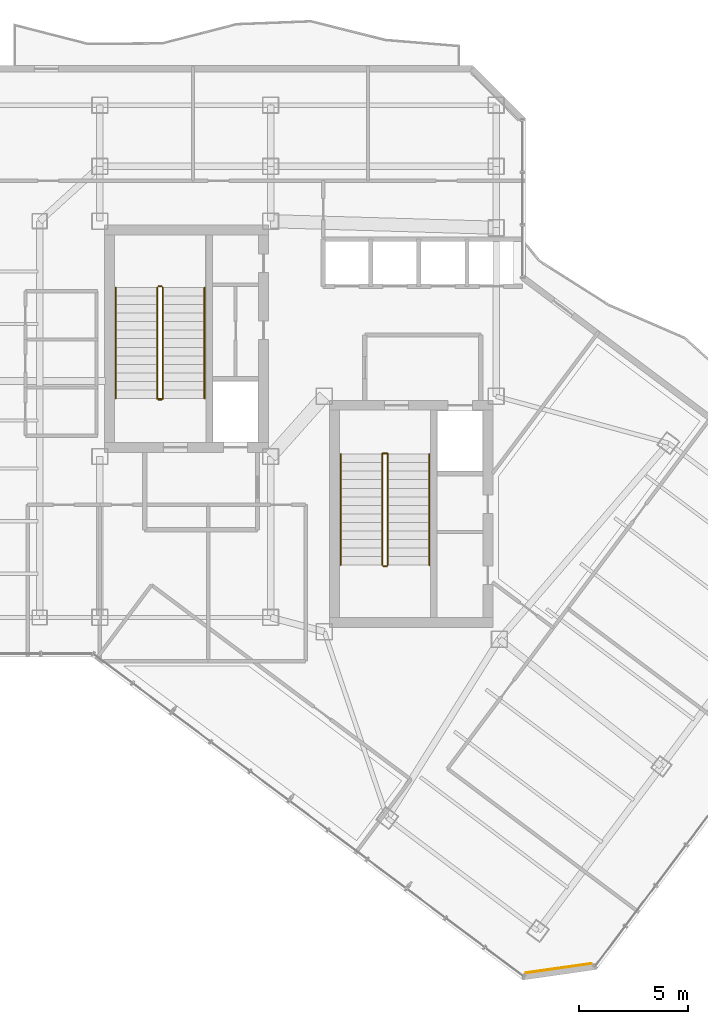
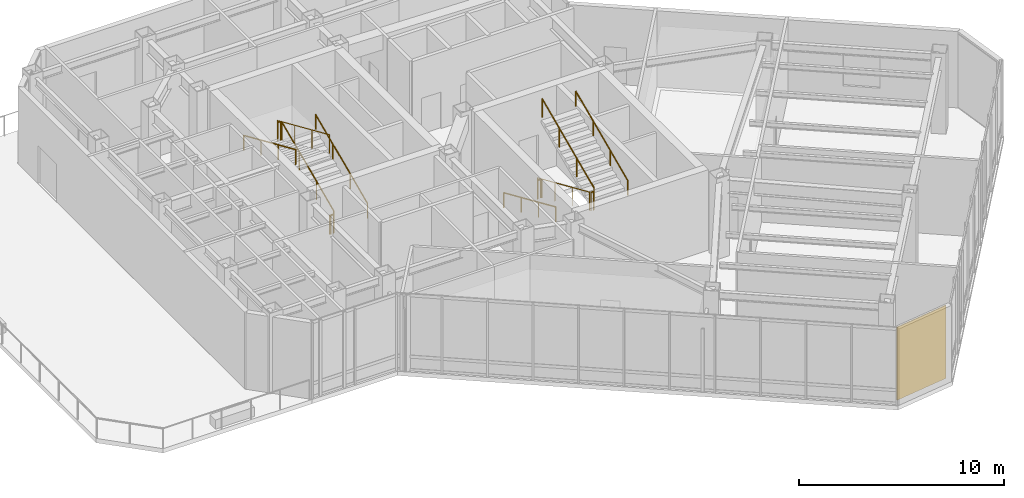
# One storey, part 20 of 21: 14 railings, 1 covering.
"""IFC4 building model written with IfcOpenShell, lengths in metres."""

from ifc_helpers import new_model, si_unit, direction, frame, origin, origin_2d, place, context, subcontext, project, spatial, rectangle, circle, extrude, material, layer, layer_set, type_object, element, save


model = new_model("IFC4")

# Units and contexts
model_context = context("Model", 3, precision=1e-05, world=origin(), true_north=direction((0.0, 1.0)))
body_context = subcontext(model_context, "Body", "Model", "MODEL_VIEW")
ifc_project = project(units=[si_unit("LENGTHUNIT", "METRE"), si_unit("AREAUNIT", "SQUARE_METRE"), si_unit("VOLUMEUNIT", "CUBIC_METRE"), si_unit("PLANEANGLEUNIT", "RADIAN"), si_unit("MASSUNIT", "GRAM", prefix="KILO")], contexts=[model_context])

# Site, building, storey
site_placement = place(None, origin())
site = spatial("IfcSite", under=ifc_project, at=site_placement, CompositionType="ELEMENT")
building_placement = place(site_placement, origin())
building = spatial("IfcBuilding", under=site, at=building_placement, Name="Hatsunagi Terrace Concourse", CompositionType="ELEMENT")
storey_placement = place(building_placement, frame((0.0, 0.0, 186.75)))
storey = spatial("IfcBuildingStorey", under=building, at=storey_placement, Name="L49", CompositionType="ELEMENT", Elevation=186.75)

# Railings
ifc_material_1 = material(Name="Stainless steel", Category="steel")
ifc_layer_1 = layer(ifc_material_1, 0.044921875)
ifc_layer_set_1 = layer_set([ifc_layer_1], Name="StairPitchHandrail_Tower2000")
railing_type_1 = type_object("IfcRailingType", Name="StairPitchHandrail_Tower2000", PredefinedType="HANDRAIL", material=ifc_layer_set_1)
railing_1_placement = place(storey_placement, frame((30.330078125, 35.199951171875, 0.17138671875)))
element("IfcRailing", 1, at=railing_1_placement, inside=storey, type_object=railing_type_1, Name="L49 ST-A stair handrail 1", PredefinedType="HANDRAIL", context=body_context, shape_type="SweptSolid", body=[
    extrude(circle(Radius=0.02392578125, at=origin_2d()), frame((0.0, 0.0, 0.8759765625), z_axis=(0.0, 0.915469019145, 0.40238846279), x_axis=(-1.0, 0.0, 0.0)), (0.0, 0.0, 1.0), 5.538330078125),
    extrude(circle(Radius=0.02099609375, at=origin_2d()), origin(), (0.0, 0.0, 1.0), 0.851806640625),
    extrude(circle(Radius=0.02099609375, at=origin_2d()), frame((0.0, 1.68994140625, 0.742919921875)), (0.0, 0.0, 1.0), 0.851806640625),
    extrude(circle(Radius=0.02099609375, at=origin_2d()), frame((0.0, 3.380126953125, 1.485595703125)), (0.0, 0.0, 1.0), 0.851806640625),
    extrude(circle(Radius=0.02099609375, at=origin_2d()), frame((0.0, 5.070068359375, 2.228515625)), (0.0, 0.0, 1.0), 0.851806640625),
])
railing_2_placement = place(storey_placement, frame((26.280029296875, 40.27001953125, 2.571533203125)))
element("IfcRailing", 2, at=railing_2_placement, inside=storey, type_object=railing_type_1, Name="L49 ST-A stair handrail 2", PredefinedType="HANDRAIL", context=body_context, shape_type="SweptSolid", body=[
    extrude(circle(Radius=0.02392578125, at=origin_2d()), frame((0.0, 0.0, 0.8759765625), z_axis=(0.0, -0.915469019145, 0.40238846279), x_axis=(1.0, 0.0, 0.0)), (0.0, 0.0, 1.0), 5.538330078125),
    extrude(circle(Radius=0.02099609375, at=origin_2d()), origin(), (0.0, 0.0, 1.0), 0.851806640625),
    extrude(circle(Radius=0.02099609375, at=origin_2d()), frame((0.0, -1.68994140625, 0.742919921875)), (0.0, 0.0, 1.0), 0.851806640625),
    extrude(circle(Radius=0.02099609375, at=origin_2d()), frame((0.0, -3.380126953125, 1.485595703125)), (0.0, 0.0, 1.0), 0.851806640625),
    extrude(circle(Radius=0.02099609375, at=origin_2d()), frame((0.0, -5.070068359375, 2.228515625)), (0.0, 0.0, 1.0), 0.851806640625),
])
railing_3_placement = place(storey_placement, frame((36.550048828125, 32.659912109375, 0.17138671875)))
element("IfcRailing", 3, at=railing_3_placement, inside=storey, type_object=railing_type_1, Name="L49 ST-B stair handrail 1", PredefinedType="HANDRAIL", context=body_context, shape_type="SweptSolid", body=[
    extrude(circle(Radius=0.02392578125, at=origin_2d()), frame((0.0, 0.0, 0.8759765625), z_axis=(0.0, -0.915461880969, 0.402404702373), x_axis=(1.0, 0.0, 0.0)), (0.0, 0.0, 1.0), 5.5380859375),
    extrude(circle(Radius=0.02099609375, at=origin_2d()), origin(), (0.0, 0.0, 1.0), 0.851806640625),
    extrude(circle(Radius=0.02099609375, at=origin_2d()), frame((0.0, -1.68994140625, 0.742919921875)), (0.0, 0.0, 1.0), 0.851806640625),
    extrude(circle(Radius=0.02099609375, at=origin_2d()), frame((0.0, -3.3798828125, 1.485595703125)), (0.0, 0.0, 1.0), 0.851806640625),
    extrude(circle(Radius=0.02099609375, at=origin_2d()), frame((0.0, -5.06982421875, 2.228515625)), (0.0, 0.0, 1.0), 0.851806640625),
])
railing_4_placement = place(storey_placement, frame((40.60009765625, 27.590087890625, 2.571533203125)))
element("IfcRailing", 4, at=railing_4_placement, inside=storey, type_object=railing_type_1, Name="L49 ST-B stair handrail 2", PredefinedType="HANDRAIL", context=body_context, shape_type="SweptSolid", body=[
    extrude(circle(Radius=0.02392578125, at=origin_2d()), frame((0.0, 0.0, 0.8759765625), z_axis=(0.0, 0.915461880969, 0.402404702373), x_axis=(-1.0, 0.0, 0.0)), (0.0, 0.0, 1.0), 5.5380859375),
    extrude(circle(Radius=0.02099609375, at=origin_2d()), origin(), (0.0, 0.0, 1.0), 0.851806640625),
    extrude(circle(Radius=0.02099609375, at=origin_2d()), frame((0.0, 1.68994140625, 0.742919921875)), (0.0, 0.0, 1.0), 0.851806640625),
    extrude(circle(Radius=0.02099609375, at=origin_2d()), frame((0.0, 3.3798828125, 1.485595703125)), (0.0, 0.0, 1.0), 0.851806640625),
    extrude(circle(Radius=0.02099609375, at=origin_2d()), frame((0.0, 5.06982421875, 2.228515625)), (0.0, 0.0, 1.0), 0.851806640625),
])
ifc_material_2 = material(Name="Stainless steel", Category="steel")
ifc_layer_2 = layer(ifc_material_2, 0.06005859375)
ifc_layer_set_2 = layer_set([ifc_layer_2], Name="StairWellGuard_Tower2000")
railing_type_2 = type_object("IfcRailingType", Name="StairWellGuard_Tower2000", PredefinedType="BALUSTRADE", material=ifc_layer_set_2)
railing_5_placement = place(storey_placement, frame((28.429931640625, 35.199951171875, 0.17138671875)))
element("IfcRailing", 5, at=railing_5_placement, inside=storey, type_object=railing_type_2, Name="L49 ST-A stair guard 1", PredefinedType="BALUSTRADE", context=body_context, shape_type="SweptSolid", body=[
    extrude(circle(Radius=0.02392578125, at=origin_2d()), frame((0.0, 0.0, 1.09619140625), z_axis=(0.0, 0.915469019145, 0.40238846279), x_axis=(-1.0, 0.0, 0.0)), (0.0, 0.0, 1.0), 5.538330078125),
    extrude(circle(Radius=0.02099609375, at=origin_2d()), origin(), (0.0, 0.0, 1.0), 1.072021484375),
    extrude(circle(Radius=0.02099609375, at=origin_2d()), frame((0.0, 1.68994140625, 0.742919921875)), (0.0, 0.0, 1.0), 1.072021484375),
    extrude(circle(Radius=0.02099609375, at=origin_2d()), frame((0.0, 3.380126953125, 1.485595703125)), (0.0, 0.0, 1.0), 1.072021484375),
    extrude(circle(Radius=0.02099609375, at=origin_2d()), frame((0.0, 5.070068359375, 2.228515625)), (0.0, 0.0, 1.0), 1.072021484375),
])
railing_6_placement = place(storey_placement, frame((28.3798828125, 40.320068359375, 2.39990234375)))
element("IfcRailing", 6, at=railing_6_placement, inside=storey, type_object=railing_type_2, Name="L49 ST-A stair guard 2", PredefinedType="BALUSTRADE", context=body_context, shape_type="SweptSolid", body=[
    extrude(circle(Radius=0.02392578125, at=origin_2d()), frame((0.0, 0.0, 1.09619140625), z_axis=(-1.0, 0.0, 0.0), x_axis=(0.0, -1.0, 0.0)), (0.0, 0.0, 1.0), 0.14990234375),
    extrude(circle(Radius=0.02099609375, at=origin_2d()), origin(), (0.0, 0.0, 1.0), 1.072021484375),
    extrude(circle(Radius=0.02099609375, at=origin_2d()), frame((-0.14990234375, 0.0, 0.0)), (0.0, 0.0, 1.0), 1.072021484375),
])
railing_7_placement = place(storey_placement, frame((28.179931640625, 40.27001953125, 2.571533203125)))
element("IfcRailing", 7, at=railing_7_placement, inside=storey, type_object=railing_type_2, Name="L49 ST-A stair guard 3", PredefinedType="BALUSTRADE", context=body_context, shape_type="SweptSolid", body=[
    extrude(circle(Radius=0.02392578125, at=origin_2d()), frame((0.0, 0.0, 1.09619140625), z_axis=(0.0, -0.915469019145, 0.40238846279), x_axis=(1.0, 0.0, 0.0)), (0.0, 0.0, 1.0), 5.538330078125),
    extrude(circle(Radius=0.02099609375, at=origin_2d()), origin(), (0.0, 0.0, 1.0), 1.072021484375),
    extrude(circle(Radius=0.02099609375, at=origin_2d()), frame((0.0, -1.68994140625, 0.742919921875)), (0.0, 0.0, 1.0), 1.072021484375),
    extrude(circle(Radius=0.02099609375, at=origin_2d()), frame((0.0, -3.380126953125, 1.485595703125)), (0.0, 0.0, 1.0), 1.072021484375),
    extrude(circle(Radius=0.02099609375, at=origin_2d()), frame((0.0, -5.070068359375, 2.228515625)), (0.0, 0.0, 1.0), 1.072021484375),
])
railing_8_placement = place(storey_placement, frame((28.3798828125, 35.14990234375, 0.0)))
element("IfcRailing", 8, at=railing_8_placement, inside=storey, type_object=railing_type_2, Name="L49 ST-A stair guard 4", PredefinedType="BALUSTRADE", context=body_context, shape_type="SweptSolid", body=[
    extrude(circle(Radius=0.02392578125, at=origin_2d()), frame((0.0, 0.0, 1.09619140625), z_axis=(-1.0, 0.0, 0.0), x_axis=(0.0, -1.0, 0.0)), (0.0, 0.0, 1.0), 0.14990234375),
    extrude(circle(Radius=0.02099609375, at=origin_2d()), origin(), (0.0, 0.0, 1.0), 1.072021484375),
    extrude(circle(Radius=0.02099609375, at=origin_2d()), frame((-0.14990234375, 0.0, 0.0)), (0.0, 0.0, 1.0), 1.072021484375),
])
railing_9_placement = place(storey_placement, frame((38.449951171875, 32.659912109375, 0.17138671875)))
element("IfcRailing", 9, at=railing_9_placement, inside=storey, type_object=railing_type_2, Name="L49 ST-B stair guard 1", PredefinedType="BALUSTRADE", context=body_context, shape_type="SweptSolid", body=[
    extrude(circle(Radius=0.02392578125, at=origin_2d()), frame((0.0, 0.0, 1.09619140625), z_axis=(0.0, -0.915461880969, 0.402404702373), x_axis=(1.0, 0.0, 0.0)), (0.0, 0.0, 1.0), 5.5380859375),
    extrude(circle(Radius=0.02099609375, at=origin_2d()), origin(), (0.0, 0.0, 1.0), 1.072021484375),
    extrude(circle(Radius=0.02099609375, at=origin_2d()), frame((0.0, -1.68994140625, 0.742919921875)), (0.0, 0.0, 1.0), 1.072021484375),
    extrude(circle(Radius=0.02099609375, at=origin_2d()), frame((0.0, -3.3798828125, 1.485595703125)), (0.0, 0.0, 1.0), 1.072021484375),
    extrude(circle(Radius=0.02099609375, at=origin_2d()), frame((0.0, -5.06982421875, 2.228515625)), (0.0, 0.0, 1.0), 1.072021484375),
])
railing_10_placement = place(storey_placement, frame((38.5, 27.5400390625, 2.39990234375)))
element("IfcRailing", 10, at=railing_10_placement, inside=storey, type_object=railing_type_2, Name="L49 ST-B stair guard 2", PredefinedType="BALUSTRADE", context=body_context, shape_type="SweptSolid", body=[
    extrude(circle(Radius=0.02392578125, at=origin_2d()), frame((0.0, 0.0, 1.09619140625), z_axis=(1.0, 0.0, 0.0), x_axis=(0.0, 1.0, 0.0)), (0.0, 0.0, 1.0), 0.14990234375),
    extrude(circle(Radius=0.02099609375, at=origin_2d()), origin(), (0.0, 0.0, 1.0), 1.072021484375),
    extrude(circle(Radius=0.02099609375, at=origin_2d()), frame((0.14990234375, 0.0, 0.0)), (0.0, 0.0, 1.0), 1.072021484375),
])
railing_11_placement = place(storey_placement, frame((38.699951171875, 27.590087890625, 2.571533203125)))
element("IfcRailing", 11, at=railing_11_placement, inside=storey, type_object=railing_type_2, Name="L49 ST-B stair guard 3", PredefinedType="BALUSTRADE", context=body_context, shape_type="SweptSolid", body=[
    extrude(circle(Radius=0.02392578125, at=origin_2d()), frame((0.0, 0.0, 1.09619140625), z_axis=(0.0, 0.915461880969, 0.402404702373), x_axis=(-1.0, 0.0, 0.0)), (0.0, 0.0, 1.0), 5.5380859375),
    extrude(circle(Radius=0.02099609375, at=origin_2d()), origin(), (0.0, 0.0, 1.0), 1.072021484375),
    extrude(circle(Radius=0.02099609375, at=origin_2d()), frame((0.0, 1.68994140625, 0.742919921875)), (0.0, 0.0, 1.0), 1.072021484375),
    extrude(circle(Radius=0.02099609375, at=origin_2d()), frame((0.0, 3.3798828125, 1.485595703125)), (0.0, 0.0, 1.0), 1.072021484375),
    extrude(circle(Radius=0.02099609375, at=origin_2d()), frame((0.0, 5.06982421875, 2.228515625)), (0.0, 0.0, 1.0), 1.072021484375),
])
railing_12_placement = place(storey_placement, frame((38.5, 32.7099609375, 0.0)))
element("IfcRailing", 12, at=railing_12_placement, inside=storey, type_object=railing_type_2, Name="L49 ST-B stair guard 4", PredefinedType="BALUSTRADE", context=body_context, shape_type="SweptSolid", body=[
    extrude(circle(Radius=0.02392578125, at=origin_2d()), frame((0.0, 0.0, 1.09619140625), z_axis=(1.0, 0.0, 0.0), x_axis=(0.0, 1.0, 0.0)), (0.0, 0.0, 1.0), 0.14990234375),
    extrude(circle(Radius=0.02099609375, at=origin_2d()), origin(), (0.0, 0.0, 1.0), 1.072021484375),
    extrude(circle(Radius=0.02099609375, at=origin_2d()), frame((0.14990234375, 0.0, 0.0)), (0.0, 0.0, 1.0), 1.072021484375),
])
ifc_material_3 = material(Name="Stainless Steel SUS316 Post-and-Rail Guard", Category="steel")
ifc_layer_3 = layer(ifc_material_3, 0.080078125)
ifc_layer_set_3 = layer_set([ifc_layer_3], Name="TerracePlantedGuardRail_1200")
railing_type_3 = type_object("IfcRailingType", Name="TerracePlantedGuardRail_1200", PredefinedType="GUARDRAIL", material=ifc_layer_set_3)
for number, where, name in (
    (13, (28.179931640625, 35.179931640625, 0.0), "Stair ST-A Well Closure Guard L49"),
    (14, (38.449951171875, 32.679931640625, 0.0), "Stair ST-B Well Closure Guard L49"),
):
    element("IfcRailing", number, at=place(storey_placement, frame(where)), inside=storey, type_object=railing_type_3, Name=name, PredefinedType="GUARDRAIL", context=body_context, shape_type="SweptSolid", body=[
        extrude(circle(Radius=0.02392578125, at=origin_2d()), frame((0.0, 0.0, 1.09619140625), z_axis=(1.0, 0.0, 0.0), x_axis=(0.0, 1.0, 0.0)), (0.0, 0.0, 1.0), 0.25),
        extrude(circle(Radius=0.02099609375, at=origin_2d()), origin(), (0.0, 0.0, 1.0), 1.072021484375),
        extrude(circle(Radius=0.02099609375, at=origin_2d()), frame((0.25, 0.0, 0.0)), (0.0, 0.0, 1.0), 1.072021484375),
    ])

# Covering
ifc_material_4 = material(Name="Unglazed Warm Terracotta Rainscreen Tile", Category="masonry")
ifc_layer_4 = layer(ifc_material_4, 0.044921875)
ifc_layer_set_4 = layer_set([ifc_layer_4], Name="TerracottaRainscreenCladding_45")
covering_type = type_object("IfcCoveringType", Name="TerracottaRainscreenCladding_45", PredefinedType="CLADDING", material=ifc_layer_set_4)
covering_placement = place(storey_placement, frame((46.51806640625, 9.178955078125, 0.099853515625), z_axis=(0.0, 0.0, 1.0), x_axis=(-0.989973920543, -0.141250262458, 0.0)))
element("IfcCovering", 15, at=covering_placement, inside=storey, type_object=covering_type, Name="Terracotta Rainscreen Cladding L49-04", PredefinedType="CLADDING", context=body_context, shape_type="SweptSolid", body=[
    extrude(rectangle(XDim=3.0380859375, YDim=0.044921875, at=origin_2d()), origin(), (0.0, 0.0, 1.0), 4.35009765625),
])

save(model, "model.ifc")
